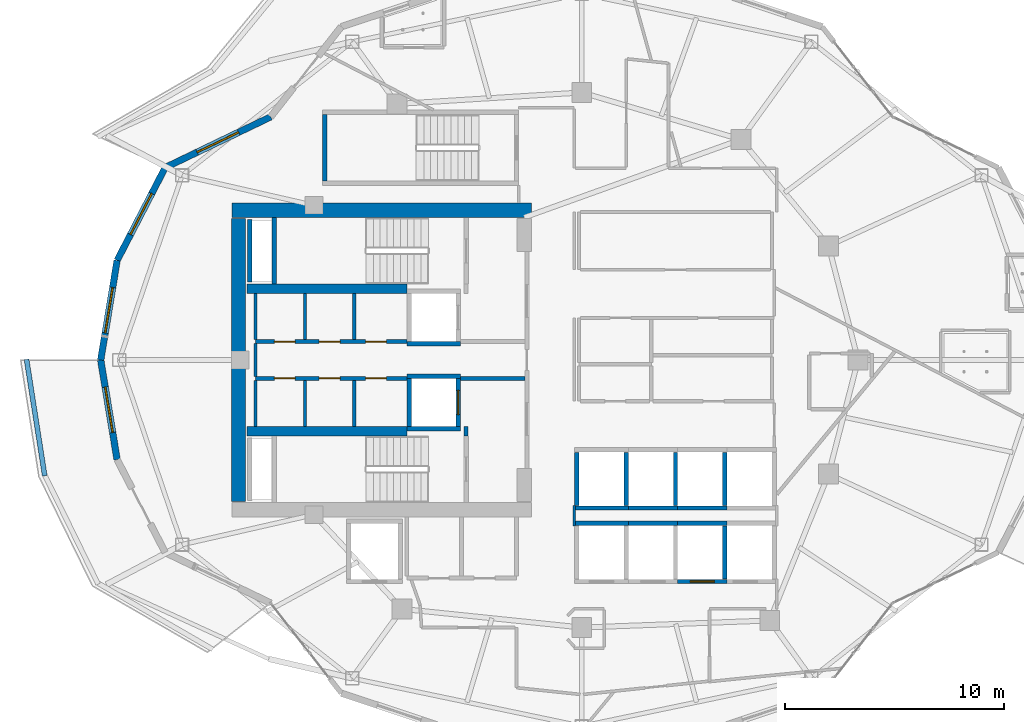
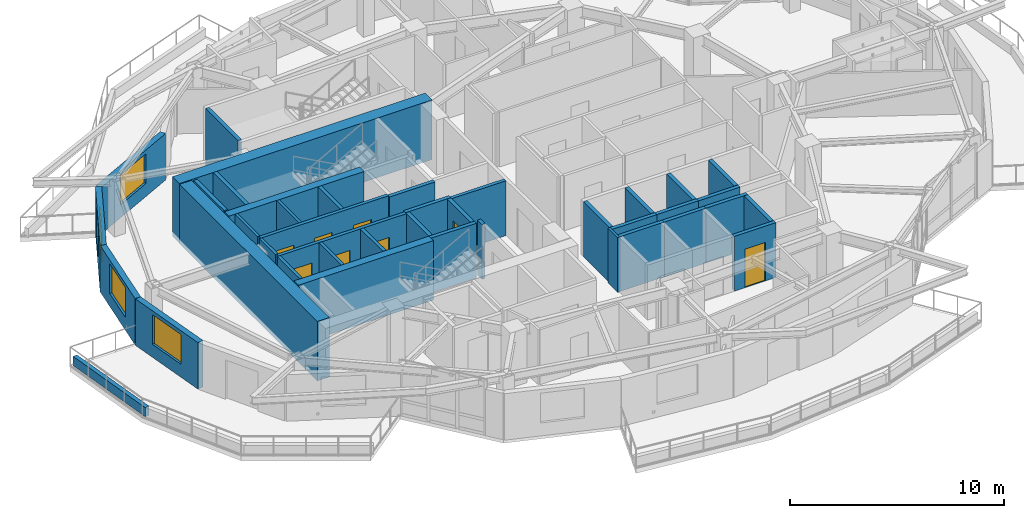
# One storey, part 9 of 18: 41 walls, 8 doors, 4 windows, 12 openings.
"""IFC4 building model written with IfcOpenShell, lengths in metres."""

import ifcopenshell
import ifcopenshell.guid

model = None  # the IFC model being written
_history = None  # IfcOwnerHistory: only IFC2X3 demands one
_inside = {}  # id of a spatial element -> (the spatial element, [elements in it])
_under = {}  # id of a project, library or spatial element -> (it, [spatial elements below it])
_declared = {}  # id of a project -> (the project, [libraries it declares])
_typed = {}  # id of a type object -> (the type object, [elements of that type])
_made_of = {}  # id of a material, layer set ... -> (it, [elements and type objects made of it])


def new_model(schema):
    """Start an empty IFC model of exactly this schema.

    Asked for "IFC4X3", IfcOpenShell would pick the latest addendum, in which some entities
    have other attributes; the version numbers below select the first issue.
    IFC2X3 requires an IfcOwnerHistory on every rooted entity: one is made here for all.
    """
    global model, _history
    if schema == "IFC4X3":
        model = ifcopenshell.file(schema_version=(4, 3, 0, 0))
    else:
        model = ifcopenshell.file(schema=schema)
    _inside.clear()
    _under.clear()
    _declared.clear()
    _typed.clear()
    _made_of.clear()
    _history = None
    if model.schema == "IFC2X3":
        org = make("IfcOrganization", Name="unknown")
        user = make(
            "IfcPersonAndOrganization",
            ThePerson=make("IfcPerson", FamilyName="unknown"),
            TheOrganization=org,
        )
        app = make(
            "IfcApplication",
            ApplicationDeveloper=org,
            Version="unknown",
            ApplicationFullName="unknown",
            ApplicationIdentifier="unknown",
        )
        _history = make(
            "IfcOwnerHistory",
            OwningUser=user,
            OwningApplication=app,
            ChangeAction="ADDED",
            CreationDate=0,
        )
    return model


def make(cls, **values):
    """One entity of the class cls with the attributes given. An attribute that is None is left unset."""
    return model.create_entity(
        cls, **{name: value for name, value in values.items() if value is not None}
    )


def rooted(cls, **values):
    """An entity with a GlobalId (a new one), such as an element, a storey or a relation."""
    return make(cls, GlobalId=ifcopenshell.guid.new(), OwnerHistory=_history, **values)


def si_unit(unit_type, name, prefix=None):
    """IfcSIUnit, for example si_unit("LENGTHUNIT", "METRE", prefix="MILLI")."""
    return make("IfcSIUnit", UnitType=unit_type, Prefix=prefix, Name=name)


def assignment(units):
    """IfcUnitAssignment: the units of a project."""
    return None if units is None else make("IfcUnitAssignment", Units=units)


def point(xyz):
    """IfcCartesianPoint."""
    return None if xyz is None else make("IfcCartesianPoint", Coordinates=xyz)


def direction(xyz):
    """IfcDirection."""
    return None if xyz is None else make("IfcDirection", DirectionRatios=xyz)


def frame(location, z_axis=None, x_axis=None):
    """IfcAxis2Placement3D, a coordinate frame: its origin and axes. An axis left out is left unset."""
    return make(
        "IfcAxis2Placement3D",
        Location=point(location),
        Axis=direction(z_axis),
        RefDirection=direction(x_axis),
    )


def frame_2d(location, x_axis=None):
    """IfcAxis2Placement2D, a coordinate frame in the plane: its origin and x axis."""
    return make(
        "IfcAxis2Placement2D", Location=point(location), RefDirection=direction(x_axis)
    )


def origin():
    """The frame at (0, 0, 0) with its axes left unset."""
    return frame((0.0, 0.0, 0.0))


def place(relative_to, where):
    """IfcLocalPlacement: puts the frame where relative to a parent placement (None: the world)."""
    return make(
        "IfcLocalPlacement", PlacementRelTo=relative_to, RelativePlacement=where
    )


def context(
    kind, dimensions, precision=None, world=None, true_north=None, identifier=None
):
    """IfcGeometricRepresentationContext, for example the 3D "Model" context."""
    return make(
        "IfcGeometricRepresentationContext",
        ContextIdentifier=identifier,
        ContextType=kind,
        CoordinateSpaceDimension=dimensions,
        Precision=precision,
        WorldCoordinateSystem=world,
        TrueNorth=true_north,
    )


def subcontext(parent, identifier, kind, view, scale=None):
    """IfcGeometricRepresentationSubContext, for example "Body" below "Model"."""
    return make(
        "IfcGeometricRepresentationSubContext",
        ContextIdentifier=identifier,
        ContextType=kind,
        ParentContext=parent,
        TargetScale=scale,
        TargetView=view,
    )


def project(units=None, contexts=None):
    """IfcProject with its units and contexts."""
    return rooted(
        "IfcProject",
        Name="project",
        RepresentationContexts=contexts,
        UnitsInContext=assignment(units),
    )


def spatial(cls, under=None, at=None, **own):
    """A site, building, storey or space (cls), placed at a placement, below another one or the project."""
    s = rooted(cls, ObjectPlacement=at, **own)
    if under is not None:
        _under.setdefault(under.id(), (under, []))[1].append(s)
    return s


def profile(cls, at=None, kind="AREA", **sizes):
    """A parametric profile (cls). Its sizes go by their IFC names, for example OverallWidth=200.0."""
    return make(cls, ProfileType=kind, Position=at, **sizes)


def rectangle(**sizes):
    """IfcRectangleProfileDef."""
    return profile("IfcRectangleProfileDef", **sizes)


def extrude(swept, where, along, depth):
    """IfcExtrudedAreaSolid: the profile swept, set in the frame where, extruded along a direction by depth."""
    return make(
        "IfcExtrudedAreaSolid",
        SweptArea=swept,
        Position=where,
        ExtrudedDirection=direction(along),
        Depth=depth,
    )


def shape(context_of_items, identifier, shape_type, items):
    """IfcShapeRepresentation: the items that make up one representation, for example the "Body"."""
    return make(
        "IfcShapeRepresentation",
        ContextOfItems=context_of_items,
        RepresentationIdentifier=identifier,
        RepresentationType=shape_type,
        Items=items,
    )


def material(Name=None, Category=None):
    """IfcMaterial."""
    return make("IfcMaterial", Name=Name, Category=Category)


def layer(
    of_material, thickness, ventilated=None, Name=None, Category=None, Priority=None
):
    """IfcMaterialLayer: one layer of a wall or slab, of a material (None: an air gap)."""
    return make(
        "IfcMaterialLayer",
        Material=of_material,
        LayerThickness=thickness,
        IsVentilated=ventilated,
        Name=Name,
        Category=Category,
        Priority=Priority,
    )


def layer_set(layers, Name=None):
    """IfcMaterialLayerSet."""
    return make("IfcMaterialLayerSet", MaterialLayers=layers, LayerSetName=Name)


def made_of(thing, what):
    """Note that an element or type object is made of a material, layer set ...; save() writes the relation."""
    if what is not None:
        _made_of.setdefault(what.id(), (what, []))[1].append(thing)
    return thing


def type_object(cls, material=None, **own):
    """A type object (cls), such as IfcWallType, which elements share."""
    return made_of(rooted(cls, **own), material)


def element(
    cls,
    number,
    at=None,
    inside=None,
    cuts=None,
    type_object=None,
    material=None,
    context=None,
    identifier="Body",
    shape_type=None,
    held_by="IfcProductDefinitionShape",
    body=None,
    shapes=None,
    **own,
):
    """One element of the class cls, such as IfcWall. Its Tag is "e" and its number.

    at: its placement. inside: the storey or other place that contains it. cuts: it is an
    opening in that element (IfcRelVoidsElement). A single representation is given by context,
    identifier, shape_type and body (its items); several are given by shapes. held_by: the class
    of the entity that holds the representations. save() writes the other relations.
    """
    e = rooted(cls, Tag="e%d" % number, ObjectPlacement=at, **own)
    if body is not None:
        shapes = [shape(context, identifier, shape_type, body)]
    if shapes is not None:
        e.Representation = make(held_by, Representations=shapes)
    if inside is not None:
        _inside.setdefault(inside.id(), (inside, []))[1].append(e)
    if cuts is not None:
        rooted(
            "IfcRelVoidsElement", RelatingBuildingElement=cuts, RelatedOpeningElement=e
        )
    if type_object is not None:
        _typed.setdefault(type_object.id(), (type_object, []))[1].append(e)
    return made_of(e, material)


def fill(opening, filler):
    """IfcRelFillsElement: the door or window that sits in an opening."""
    return rooted(
        "IfcRelFillsElement",
        RelatingOpeningElement=opening,
        RelatedBuildingElement=filler,
    )


def aggregate(whole, parts):
    """IfcRelAggregates: a whole, such as a stair, and the parts it consists of."""
    return rooted("IfcRelAggregates", RelatingObject=whole, RelatedObjects=parts)


def save(model, path):
    """Write the relations noted so far, then the file.

    IfcRelAggregates (storeys below a building ...), IfcRelContainedInSpatialStructure (elements
    in a storey), IfcRelDefinesByType, IfcRelAssociatesMaterial and IfcRelDeclares: one each for
    every whole, place, type object, material and project.
    """
    for whole, parts in _under.values():
        aggregate(whole, parts)
    for where, things in _inside.values():
        rooted(
            "IfcRelContainedInSpatialStructure",
            RelatedElements=things,
            RelatingStructure=where,
        )
    for kind, things in _typed.values():
        rooted("IfcRelDefinesByType", RelatedObjects=things, RelatingType=kind)
    for what, things in _made_of.values():
        rooted("IfcRelAssociatesMaterial", RelatedObjects=things, RelatingMaterial=what)
    for by, libraries in _declared.values():
        rooted("IfcRelDeclares", RelatingContext=by, RelatedDefinitions=libraries)
    model.write(path)


model = new_model("IFC4")

# Units and contexts
model_context = context("Model", 3, precision=1e-05, world=origin(), true_north=direction((0.0, 1.0)))
body_context = subcontext(model_context, "Body", "Model", "MODEL_VIEW")
ifc_project = project(units=[si_unit("LENGTHUNIT", "METRE"), si_unit("AREAUNIT", "SQUARE_METRE"), si_unit("VOLUMEUNIT", "CUBIC_METRE"), si_unit("PLANEANGLEUNIT", "RADIAN"), si_unit("MASSUNIT", "GRAM", prefix="KILO")], contexts=[model_context])

# Site, building, storey
site_placement = place(None, origin())
site = spatial("IfcSite", under=ifc_project, at=site_placement, CompositionType="ELEMENT")
building_placement = place(site_placement, origin())
building = spatial("IfcBuilding", under=site, at=building_placement, Name="Kolvaren Gate Tower and Convention Centre", CompositionType="ELEMENT")
storey_placement = place(building_placement, frame((0.0, 0.0, 176.699951171875)))
storey = spatial("IfcBuildingStorey", under=building, at=storey_placement, Name="L46", CompositionType="ELEMENT", Elevation=176.699951171875)

# Wall
ifc_material_1 = material(Name="Autoclaved Aerated Masonry Blockwork Class 4 (4.0 MPa)", Category="masonry")
ifc_layer_1 = layer(ifc_material_1, 0.179931640625)
ifc_layer_set_1 = layer_set([ifc_layer_1], Name="Autoclaved Aerated Masonry Blockwork Class 4 (4.0 MPa)")
wall_type_1 = type_object("IfcWallType", Name="ARCH-WL-COMP-180", PredefinedType="SOLIDWALL", material=ifc_layer_set_1)
wall_1_placement = place(storey_placement, frame((24.85009765625, 23.5400390625, 0.0), z_axis=(0.0, 0.0, 1.0), x_axis=(0.0, 1.0, 0.0)))
element("IfcWall", 1, at=wall_1_placement, inside=storey, type_object=wall_type_1, Name="Interior Partition WL-L46-INT-001", PredefinedType="SOLIDWALL", context=body_context, shape_type="SweptSolid", body=[
    extrude(rectangle(XDim=0.419921875, YDim=0.179931640625, at=frame_2d((0.2099609375, 0.0))), origin(), (0.0, 0.0, 1.0), 3.130126953125),
])

# Wall, openings, doors
wall_2_placement = place(storey_placement, frame((15.25, 27.840087890625, 0.0), z_axis=(0.0, 0.0, 1.0), x_axis=(1.0, 0.0, 0.0)))
wall_2 = element("IfcWall", 2, at=wall_2_placement, inside=storey, type_object=wall_type_1, Name="Interior Partition WL-L46-INT-004", PredefinedType="SOLIDWALL", context=body_context, shape_type="SweptSolid", body=[
    extrude(rectangle(XDim=6.89990234375, YDim=0.179931640625, at=frame_2d((3.449951171875, 0.0))), origin(), (0.0, 0.0, 1.0), 3.130126953125),
])
opening_1_placement = place(wall_2_placement, frame((5.02001953125, 0.0, 0.0)))
opening_1 = element("IfcOpeningElement", 3, at=opening_1_placement, cuts=wall_2, Name="Opening DR-01", PredefinedType="OPENING", context=body_context, shape_type="SweptSolid", body=[
    extrude(rectangle(XDim=0.949951171875, YDim=2.10009765625, at=frame_2d((0.47509765625, 1.050048828125))), frame((0.0, 0.099853515625, 0.0), z_axis=(0.0, -1.0, 0.0), x_axis=(1.0, 0.0, 0.0)), (0.0, 0.0, 1.0), 0.199951171875),
])
opening_2_placement = place(wall_2_placement, frame((0.85498046875, 0.0, 0.0)))
opening_2 = element("IfcOpeningElement", 4, at=opening_2_placement, cuts=wall_2, Name="Opening DR-01", PredefinedType="OPENING", context=body_context, shape_type="SweptSolid", body=[
    extrude(rectangle(XDim=0.949951171875, YDim=2.10009765625, at=frame_2d((0.47509765625, 1.050048828125))), frame((0.0, 0.099853515625, 0.0), z_axis=(0.0, -1.0, 0.0), x_axis=(1.0, 0.0, 0.0)), (0.0, 0.0, 1.0), 0.199951171875),
])
opening_3_placement = place(wall_2_placement, frame((2.89990234375, 0.0, 0.0)))
opening_3 = element("IfcOpeningElement", 5, at=opening_3_placement, cuts=wall_2, Name="Opening DR-01", PredefinedType="OPENING", context=body_context, shape_type="SweptSolid", body=[
    extrude(rectangle(XDim=0.949951171875, YDim=2.10009765625, at=frame_2d((0.47509765625, 1.050048828125))), frame((0.0, 0.099853515625, 0.0), z_axis=(0.0, -1.0, 0.0), x_axis=(1.0, 0.0, 0.0)), (0.0, 0.0, 1.0), 0.199951171875),
])
ifc_material_2 = material(Name="Painted Architectural Steelwork ASTM A500 Grade C 345 MPa", Category="steel")
door_type_1 = type_object("IfcDoorType", Name="ARCH-DR-RISER-950", OperationType="SINGLE_SWING_RIGHT", PredefinedType="DOOR", material=ifc_material_2)
door_1_placement = place(opening_1_placement, origin())
door_1 = element("IfcDoor", 6, at=door_1_placement, inside=storey, type_object=door_type_1, Name="Electrical Switchgear Closet Door", OperationType="SINGLE_SWING_RIGHT", OverallHeight=2.10009765625, OverallWidth=0.949951171875, PredefinedType="DOOR", context=body_context, shape_type="SweptSolid", body=[
    extrude(rectangle(XDim=0.949951171875, YDim=2.10009765625, at=frame_2d((0.47509765625, 1.050048828125))), frame((0.0, 0.02490234375, 0.0), z_axis=(0.0, -1.0, 0.0), x_axis=(1.0, 0.0, 0.0)), (0.0, 0.0, 1.0), 0.050048828125),
])
fill(opening_1, door_1)
door_2_placement = place(opening_2_placement, origin())
door_2 = element("IfcDoor", 7, at=door_2_placement, inside=storey, type_object=door_type_1, Name="Staff Accessible WC Door", OperationType="SINGLE_SWING_RIGHT", OverallHeight=2.10009765625, OverallWidth=0.949951171875, PredefinedType="DOOR", context=body_context, shape_type="SweptSolid", body=[
    extrude(rectangle(XDim=0.949951171875, YDim=2.10009765625, at=frame_2d((0.47509765625, 1.050048828125))), frame((0.0, 0.02490234375, 0.0), z_axis=(0.0, -1.0, 0.0), x_axis=(1.0, 0.0, 0.0)), (0.0, 0.0, 1.0), 0.050048828125),
])
fill(opening_2, door_2)
door_3_placement = place(opening_3_placement, origin())
door_3 = element("IfcDoor", 8, at=door_3_placement, inside=storey, type_object=door_type_1, Name="Housekeeping Sink Closet Door", OperationType="SINGLE_SWING_LEFT", OverallHeight=2.10009765625, OverallWidth=0.949951171875, PredefinedType="DOOR", context=body_context, shape_type="SweptSolid", body=[
    extrude(rectangle(XDim=0.949951171875, YDim=2.10009765625, at=frame_2d((0.47509765625, 1.050048828125))), frame((0.0, 0.02490234375, 0.0), z_axis=(0.0, -1.0, 0.0), x_axis=(1.0, 0.0, 0.0)), (0.0, 0.0, 1.0), 0.050048828125),
])
fill(opening_3, door_3)

wall_3_placement = place(storey_placement, frame((15.25, 26.159912109375, 0.0), z_axis=(0.0, 0.0, 1.0), x_axis=(1.0, 0.0, 0.0)))
wall_3 = element("IfcWall", 9, at=wall_3_placement, inside=storey, type_object=wall_type_1, Name="Interior Partition WL-L46-INT-005", PredefinedType="SOLIDWALL", context=body_context, shape_type="SweptSolid", body=[
    extrude(rectangle(XDim=6.89990234375, YDim=0.179931640625, at=frame_2d((3.449951171875, 0.0))), origin(), (0.0, 0.0, 1.0), 3.130126953125),
])
opening_4_placement = place(wall_3_placement, frame((5.02001953125, 0.0, 0.0)))
opening_4 = element("IfcOpeningElement", 10, at=opening_4_placement, cuts=wall_3, Name="Opening DR-01", PredefinedType="OPENING", context=body_context, shape_type="SweptSolid", body=[
    extrude(rectangle(XDim=0.949951171875, YDim=2.10009765625, at=frame_2d((0.47509765625, 1.050048828125))), frame((0.0, 0.099853515625, 0.0), z_axis=(0.0, -1.0, 0.0), x_axis=(1.0, 0.0, 0.0)), (0.0, 0.0, 1.0), 0.199951171875),
])
opening_5_placement = place(wall_3_placement, frame((0.85498046875, 0.0, 0.0)))
opening_5 = element("IfcOpeningElement", 11, at=opening_5_placement, cuts=wall_3, Name="Opening DR-01", PredefinedType="OPENING", context=body_context, shape_type="SweptSolid", body=[
    extrude(rectangle(XDim=0.949951171875, YDim=2.10009765625, at=frame_2d((0.47509765625, 1.050048828125))), frame((0.0, 0.099853515625, 0.0), z_axis=(0.0, -1.0, 0.0), x_axis=(1.0, 0.0, 0.0)), (0.0, 0.0, 1.0), 0.199951171875),
])
opening_6_placement = place(wall_3_placement, frame((2.89990234375, 0.0, 0.0)))
opening_6 = element("IfcOpeningElement", 12, at=opening_6_placement, cuts=wall_3, Name="Opening DR-01", PredefinedType="OPENING", context=body_context, shape_type="SweptSolid", body=[
    extrude(rectangle(XDim=0.949951171875, YDim=2.10009765625, at=frame_2d((0.47509765625, 1.050048828125))), frame((0.0, 0.099853515625, 0.0), z_axis=(0.0, -1.0, 0.0), x_axis=(1.0, 0.0, 0.0)), (0.0, 0.0, 1.0), 0.199951171875),
])
door_4_placement = place(opening_4_placement, origin())
door_4 = element("IfcDoor", 13, at=door_4_placement, inside=storey, type_object=door_type_1, Name="Domestic Water Meter Closet Door", OperationType="SINGLE_SWING_LEFT", OverallHeight=2.10009765625, OverallWidth=0.949951171875, PredefinedType="DOOR", context=body_context, shape_type="SweptSolid", body=[
    extrude(rectangle(XDim=0.949951171875, YDim=2.10009765625, at=frame_2d((0.47509765625, 1.050048828125))), frame((0.0, 0.02490234375, 0.0), z_axis=(0.0, -1.0, 0.0), x_axis=(1.0, 0.0, 0.0)), (0.0, 0.0, 1.0), 0.050048828125),
])
fill(opening_4, door_4)
door_5_placement = place(opening_5_placement, origin())
door_5 = element("IfcDoor", 14, at=door_5_placement, inside=storey, type_object=door_type_1, Name="Beverage Service Pantry Door", OperationType="SINGLE_SWING_RIGHT", OverallHeight=2.10009765625, OverallWidth=0.949951171875, PredefinedType="DOOR", context=body_context, shape_type="SweptSolid", body=[
    extrude(rectangle(XDim=0.949951171875, YDim=2.10009765625, at=frame_2d((0.47509765625, 1.050048828125))), frame((0.0, 0.02490234375, 0.0), z_axis=(0.0, -1.0, 0.0), x_axis=(1.0, 0.0, 0.0)), (0.0, 0.0, 1.0), 0.050048828125),
])
fill(opening_5, door_5)
door_6_placement = place(opening_6_placement, origin())
door_6 = element("IfcDoor", 15, at=door_6_placement, inside=storey, type_object=door_type_1, Name="Archive Supply Closet Door", OperationType="SINGLE_SWING_LEFT", OverallHeight=2.10009765625, OverallWidth=0.949951171875, PredefinedType="DOOR", context=body_context, shape_type="SweptSolid", body=[
    extrude(rectangle(XDim=0.949951171875, YDim=2.10009765625, at=frame_2d((0.47509765625, 1.050048828125))), frame((0.0, 0.02490234375, 0.0), z_axis=(0.0, -1.0, 0.0), x_axis=(1.0, 0.0, 0.0)), (0.0, 0.0, 1.0), 0.050048828125),
])
fill(opening_6, door_6)

# Walls
wall_4_placement = place(storey_placement, frame((24.60009765625, 26.159912109375, 0.0), z_axis=(0.0, 0.0, 1.0), x_axis=(1.0, 0.0, 0.0)))
element("IfcWall", 16, at=wall_4_placement, inside=storey, type_object=wall_type_1, Name="Interior Partition WL-L46-INT-005 (2)", PredefinedType="SOLIDWALL", context=body_context, shape_type="SweptSolid", body=[
    extrude(rectangle(XDim=2.927978515625, YDim=0.179931640625, at=frame_2d((1.4638671875, 0.0))), origin(), (0.0, 0.0, 1.0), 3.130126953125),
])
for number, where, z_axis, x_axis, name in (
    (17, (19.75, 23.9619140625, 0.0), (0.0, 0.0, 1.0), (0.0, 1.0, 0.0), "Interior Partition WL-L46-INT-007"),
    (18, (19.75, 27.931884765625, 0.0), (0.0, 0.0, 1.0), (0.0, 1.0, 0.0), "Interior Partition WL-L46-INT-008"),
):
    element("IfcWall", number, at=place(storey_placement, frame(where, z_axis=z_axis, x_axis=x_axis)), inside=storey, type_object=wall_type_1, Name=name, PredefinedType="SOLIDWALL", context=body_context, shape_type="SweptSolid", body=[
        extrude(rectangle(XDim=2.106201171875, YDim=0.179931640625, at=frame_2d((1.05322265625, 0.0))), origin(), (0.0, 0.0, 1.0), 3.130126953125),
    ])
ifc_material_3 = material(Name="Fire-Rated Acoustic Gypsum Stud Partition", Category="gypsum")
ifc_layer_2 = layer(ifc_material_3, 0.1201171875)
ifc_layer_set_2 = layer_set([ifc_layer_2], Name="Fire-Rated Acoustic Gypsum Stud Partition")
wall_type_2 = type_object("IfcWallType", Name="ARCH-WL-PART-120", PredefinedType="PARTITIONING", material=ifc_layer_set_2)
wall_5_placement = place(storey_placement, frame((29.780029296875, 19.43994140625, 0.0), z_axis=(0.0, 0.0, 1.0), x_axis=(0.0, 1.0, 0.0)))
element("IfcWall", 19, at=wall_5_placement, inside=storey, type_object=wall_type_2, Name="Interior Partition WL-L46-INT-039", PredefinedType="PARTITIONING", context=body_context, shape_type="SweptSolid", body=[
    extrude(rectangle(XDim=0.920166015625, YDim=0.1201171875, at=frame_2d((0.4599609375, 0.0))), origin(), (0.0, 0.0, 1.0), 3.130126953125),
])
ifc_material_4 = material(Name="Piedmont Cream Honed Limestone Cladding", Category="masonry")
ifc_layer_3 = layer(ifc_material_4, 0.219970703125)
ifc_layer_set_3 = layer_set([ifc_layer_3], Name="Piedmont Cream Honed Limestone Cladding")
wall_type_3 = type_object("IfcWallType", Name="ARCH-WL-PLANTER-220", PredefinedType="PARAPET", material=ifc_layer_set_3)
wall_6_placement = place(storey_placement, frame((4.805908203125, 27.029296875, 0.0), z_axis=(0.0, 0.0, 1.0), x_axis=(0.154245214003, -0.988032597619, 0.0)))
element("IfcWall", 20, at=wall_6_placement, inside=storey, type_object=wall_type_3, Name="Vertical-Forest Balcony Stone Planter Kerb PK-L46-2.1", PredefinedType="PARAPET", context=body_context, shape_type="SweptSolid", body=[
    extrude(rectangle(XDim=5.37353515625, YDim=0.219970703125, at=frame_2d((2.686767578125, 0.0))), origin(), (0.0, 0.0, 1.0), 0.52001953125),
])
ifc_layer_4 = layer(ifc_material_1, 0.199951171875)
ifc_layer_set_4 = layer_set([ifc_layer_4], Name="Autoclaved Aerated Masonry Blockwork Class 4 (4.0 MPa)")
wall_type_4 = type_object("IfcWallType", Name="ARCH-WL-SHAFT-200", PredefinedType="SOLIDWALL", material=ifc_layer_set_4)
for number, where, z_axis, x_axis, name in (
    (21, (22.14990234375, 27.739990234375, 0.0), (0.0, 0.0, 1.0), (1.0, 0.0, 0.0), "Elevator FF-01 L46 Fire Shaft Wall S"),
    (22, (22.14990234375, 26.260009765625, 0.0), (0.0, 0.0, 1.0), (1.0, 0.0, 0.0), "Elevator FF-02 L46 Fire Shaft Wall N"),
    (23, (22.14990234375, 23.860107421875, 0.0), (0.0, 0.0, 1.0), (1.0, 0.0, 0.0), "Elevator FF-02 L46 Fire Shaft Wall S"),
):
    element("IfcWall", number, at=place(storey_placement, frame(where, z_axis=z_axis, x_axis=x_axis)), inside=storey, type_object=wall_type_4, Name=name, PredefinedType="SOLIDWALL", context=body_context, shape_type="SweptSolid", body=[
        extrude(rectangle(XDim=2.4501953125, YDim=0.199951171875, at=frame_2d((1.22509765625, 0.0))), origin(), (0.0, 0.0, 1.0), 3.130126953125),
    ])
wall_7_placement = place(storey_placement, frame((22.25, 23.969970703125, 0.0), z_axis=(0.0, 0.0, 1.0), x_axis=(0.0, 1.0, 0.0)))
element("IfcWall", 24, at=wall_7_placement, inside=storey, type_object=wall_type_4, Name="Elevator FF-02 L46 Fire Shaft Wall W", PredefinedType="SOLIDWALL", context=body_context, shape_type="SweptSolid", body=[
    extrude(rectangle(XDim=2.179931640625, YDim=0.199951171875, at=frame_2d((1.08984375, 0.0))), origin(), (0.0, 0.0, 1.0), 3.130126953125),
])

# Wall, opening, door
wall_8_placement = place(storey_placement, frame((24.5, 23.969970703125, 0.0), z_axis=(0.0, 0.0, 1.0), x_axis=(0.0, 1.0, 0.0)))
wall_8 = element("IfcWall", 25, at=wall_8_placement, inside=storey, type_object=wall_type_4, Name="Elevator FF-02 L46 Fire Shaft Wall E", PredefinedType="SOLIDWALL", context=body_context, shape_type="SweptSolid", body=[
    extrude(rectangle(XDim=2.179931640625, YDim=0.199951171875, at=frame_2d((1.08984375, 0.0))), origin(), (0.0, 0.0, 1.0), 3.130126953125),
])
opening_7_placement = place(wall_8_placement, frame((0.5400390625, 0.0, 0.0)))
opening_7 = element("IfcOpeningElement", 26, at=opening_7_placement, cuts=wall_8, Name="Opening LD", PredefinedType="OPENING", context=body_context, shape_type="SweptSolid", body=[
    extrude(rectangle(XDim=1.10009765625, YDim=2.199951171875, at=frame_2d((0.550048828125, 1.10009765625))), frame((0.0, 0.10986328125, 0.0), z_axis=(0.0, -1.0, 0.0), x_axis=(1.0, 0.0, 0.0)), (0.0, 0.0, 1.0), 0.219970703125),
])
ifc_material_5 = material(Name="Brushed Stainless Steel Grade 316L", Category="steel")
door_type_2 = type_object("IfcDoorType", Name="ARCH-DR-LIFT-1100", OperationType="SLIDING_TO_LEFT", PredefinedType="DOOR", material=ifc_material_5)
door_7_placement = place(opening_7_placement, origin())
door_7 = element("IfcDoor", 27, at=door_7_placement, inside=storey, type_object=door_type_2, Name="Elevator FF-02 L46 Sliding Landing Door", OperationType="SLIDING_TO_LEFT", OverallHeight=2.199951171875, OverallWidth=1.10009765625, PredefinedType="DOOR", context=body_context, shape_type="SweptSolid", body=[
    extrude(rectangle(XDim=1.10009765625, YDim=2.199951171875, at=frame_2d((0.550048828125, 1.10009765625))), frame((0.0, 0.02490234375, 0.0), z_axis=(0.0, -1.0, 0.0), x_axis=(1.0, 0.0, 0.0)), (0.0, 0.0, 1.0), 0.050048828125),
])
fill(opening_7, door_7)

# Walls
wall_9_placement = place(storey_placement, frame((29.800048828125, 19.550048828125, 0.0), z_axis=(0.0, 0.0, 1.0), x_axis=(1.0, 0.0, 0.0)))
element("IfcWall", 28, at=wall_9_placement, inside=storey, type_object=wall_type_4, Name="Elevator PL-05 L46 Fire Shaft Wall N", PredefinedType="SOLIDWALL", context=body_context, shape_type="SweptSolid", body=[
    extrude(rectangle(XDim=2.449951171875, YDim=0.199951171875, at=frame_2d((1.22509765625, 0.0))), origin(), (0.0, 0.0, 1.0), 3.130126953125),
])
for number, where, z_axis, x_axis, name in (
    (29, (32.25, 19.550048828125, 0.0), (0.0, 0.0, 1.0), (1.0, 0.0, 0.0), "Elevator PL-06 L46 Fire Shaft Wall N"),
    (30, (34.5, 19.550048828125, 0.0), (0.0, 0.0, 1.0), (1.0, 0.0, 0.0), "Elevator PL-07 L46 Fire Shaft Wall N"),
):
    element("IfcWall", number, at=place(storey_placement, frame(where, z_axis=z_axis, x_axis=x_axis)), inside=storey, type_object=wall_type_4, Name=name, PredefinedType="SOLIDWALL", context=body_context, shape_type="SweptSolid", body=[
        extrude(rectangle(XDim=2.25, YDim=0.199951171875, at=frame_2d((1.125, 0.0))), origin(), (0.0, 0.0, 1.0), 3.130126953125),
    ])

# Wall, opening, door
wall_10_placement = place(storey_placement, frame((34.5, 16.89990234375, 0.0), z_axis=(0.0, 0.0, 1.0), x_axis=(1.0, 0.0, 0.0)))
wall_10 = element("IfcWall", 31, at=wall_10_placement, inside=storey, type_object=wall_type_4, Name="Elevator PL-07 L46 Fire Shaft Wall S", PredefinedType="SOLIDWALL", context=body_context, shape_type="SweptSolid", body=[
    extrude(rectangle(XDim=2.25, YDim=0.199951171875, at=frame_2d((1.125, 0.0))), origin(), (0.0, 0.0, 1.0), 3.130126953125),
])
opening_8_placement = place(wall_10_placement, frame((0.574951171875, 0.0, 0.0)))
opening_8 = element("IfcOpeningElement", 32, at=opening_8_placement, cuts=wall_10, Name="Opening LD", PredefinedType="OPENING", context=body_context, shape_type="SweptSolid", body=[
    extrude(rectangle(XDim=1.10009765625, YDim=2.199951171875, at=frame_2d((0.550048828125, 1.10009765625))), frame((0.0, 0.10986328125, 0.0), z_axis=(0.0, -1.0, 0.0), x_axis=(1.0, 0.0, 0.0)), (0.0, 0.0, 1.0), 0.219970703125),
])
door_8_placement = place(opening_8_placement, origin())
door_8 = element("IfcDoor", 33, at=door_8_placement, inside=storey, type_object=door_type_2, Name="Elevator PL-07 L46 Sliding Landing Door", OperationType="SLIDING_TO_LEFT", OverallHeight=2.199951171875, OverallWidth=1.10009765625, PredefinedType="DOOR", context=body_context, shape_type="SweptSolid", body=[
    extrude(rectangle(XDim=1.10009765625, YDim=2.199951171875, at=frame_2d((0.550048828125, 1.10009765625))), frame((0.0, 0.02490234375, 0.0), z_axis=(0.0, -1.0, 0.0), x_axis=(1.0, 0.0, 0.0)), (0.0, 0.0, 1.0), 0.050048828125),
])
fill(opening_8, door_8)

# Walls
wall_11_placement = place(storey_placement, frame((36.64990234375, 17.010009765625, 0.0), z_axis=(0.0, 0.0, 1.0), x_axis=(0.0, 1.0, 0.0)))
element("IfcWall", 34, at=wall_11_placement, inside=storey, type_object=wall_type_4, Name="Elevator PL-07 L46 Fire Shaft Wall E", PredefinedType="SOLIDWALL", context=body_context, shape_type="SweptSolid", body=[
    extrude(rectangle(XDim=2.429931640625, YDim=0.199951171875, at=frame_2d((1.21484375, 0.0))), origin(), (0.0, 0.0, 1.0), 3.130126953125),
])
wall_12_placement = place(storey_placement, frame((29.800048828125, 20.25, 0.0), z_axis=(0.0, 0.0, 1.0), x_axis=(1.0, 0.0, 0.0)))
element("IfcWall", 35, at=wall_12_placement, inside=storey, type_object=wall_type_4, Name="Elevator PL-09 L46 Fire Shaft Wall S", PredefinedType="SOLIDWALL", context=body_context, shape_type="SweptSolid", body=[
    extrude(rectangle(XDim=2.449951171875, YDim=0.199951171875, at=frame_2d((1.22509765625, 0.0))), origin(), (0.0, 0.0, 1.0), 3.130126953125),
])
for number, where, z_axis, x_axis, name in (
    (36, (29.89990234375, 20.360107421875, 0.0), (0.0, 0.0, 1.0), (0.0, 1.0, 0.0), "Elevator PL-09 L46 Fire Shaft Wall W"),
    (37, (32.14990234375, 20.360107421875, 0.0), (0.0, 0.0, 1.0), (0.0, 1.0, 0.0), "Elevator PL-09 L46 Fire Shaft Wall E"),
):
    element("IfcWall", number, at=place(storey_placement, frame(where, z_axis=z_axis, x_axis=x_axis)), inside=storey, type_object=wall_type_4, Name=name, PredefinedType="SOLIDWALL", context=body_context, shape_type="SweptSolid", body=[
        extrude(rectangle(XDim=2.429931640625, YDim=0.199951171875, at=frame_2d((1.21484375, 0.0))), origin(), (0.0, 0.0, 1.0), 3.130126953125),
    ])
wall_13_placement = place(storey_placement, frame((32.25, 20.25, 0.0), z_axis=(0.0, 0.0, 1.0), x_axis=(1.0, 0.0, 0.0)))
element("IfcWall", 38, at=wall_13_placement, inside=storey, type_object=wall_type_4, Name="Elevator PL-10 L46 Fire Shaft Wall S", PredefinedType="SOLIDWALL", context=body_context, shape_type="SweptSolid", body=[
    extrude(rectangle(XDim=2.25, YDim=0.199951171875, at=frame_2d((1.125, 0.0))), origin(), (0.0, 0.0, 1.0), 3.130126953125),
])
wall_14_placement = place(storey_placement, frame((34.39990234375, 20.360107421875, 0.0), z_axis=(0.0, 0.0, 1.0), x_axis=(0.0, 1.0, 0.0)))
element("IfcWall", 39, at=wall_14_placement, inside=storey, type_object=wall_type_4, Name="Elevator PL-10 L46 Fire Shaft Wall E", PredefinedType="SOLIDWALL", context=body_context, shape_type="SweptSolid", body=[
    extrude(rectangle(XDim=2.429931640625, YDim=0.199951171875, at=frame_2d((1.21484375, 0.0))), origin(), (0.0, 0.0, 1.0), 3.130126953125),
])
wall_15_placement = place(storey_placement, frame((34.5, 20.25, 0.0), z_axis=(0.0, 0.0, 1.0), x_axis=(1.0, 0.0, 0.0)))
element("IfcWall", 40, at=wall_15_placement, inside=storey, type_object=wall_type_4, Name="Elevator PL-11 L46 Fire Shaft Wall S", PredefinedType="SOLIDWALL", context=body_context, shape_type="SweptSolid", body=[
    extrude(rectangle(XDim=2.25, YDim=0.199951171875, at=frame_2d((1.125, 0.0))), origin(), (0.0, 0.0, 1.0), 3.130126953125),
])
wall_16_placement = place(storey_placement, frame((36.64990234375, 20.360107421875, 0.0), z_axis=(0.0, 0.0, 1.0), x_axis=(0.0, 1.0, 0.0)))
element("IfcWall", 41, at=wall_16_placement, inside=storey, type_object=wall_type_4, Name="Elevator PL-11 L46 Fire Shaft Wall E", PredefinedType="SOLIDWALL", context=body_context, shape_type="SweptSolid", body=[
    extrude(rectangle(XDim=2.429931640625, YDim=0.199951171875, at=frame_2d((1.21484375, 0.0))), origin(), (0.0, 0.0, 1.0), 3.130126953125),
])
wall_17_placement = place(storey_placement, frame((14.989990234375, 30.550048828125, 0.0), z_axis=(0.0, 0.0, 1.0), x_axis=(0.0, 1.0, 0.0)))
element("IfcWall", 42, at=wall_17_placement, inside=storey, type_object=wall_type_4, Name="Vertical Shaft HVR L46 EI-120 Enclosure Wall W", PredefinedType="SOLIDWALL", context=body_context, shape_type="SweptSolid", body=[
    extrude(rectangle(XDim=2.849853515625, YDim=0.199951171875, at=frame_2d((1.4248046875, 0.0))), origin(), (0.0, 0.0, 1.0), 3.130126953125),
])

# Wall, opening, window
ifc_layer_5 = layer(ifc_material_4, 0.300048828125)
ifc_layer_set_5 = layer_set([ifc_layer_5], Name="Piedmont Cream Honed Limestone Cladding")
wall_type_5 = type_object("IfcWallType", Name="ARCH-WL-STONE-300", PredefinedType="SOLIDWALL", material=ifc_layer_set_5)
wall_18_placement = place(storey_placement, frame((11.126708984375, 35.77490234375, 0.0), z_axis=(0.0, 0.0, 1.0), x_axis=(0.901353070301, 0.433085029363, 0.0)))
wall_18 = element("IfcWall", 43, at=wall_18_placement, inside=storey, type_object=wall_type_5, Name="Tower L46 Honed Stone Spandrel Wall EW-09", PredefinedType="SOLIDWALL", context=body_context, shape_type="SweptSolid", body=[
    extrude(rectangle(XDim=5.336181640625, YDim=0.300048828125, at=frame_2d((2.66796875, 0.0))), origin(), (0.0, 0.0, 1.0), 2.653076171875),
])
opening_9_placement = place(wall_18_placement, frame((1.617919921875, 0.0, 0.739990234375)))
opening_9 = element("IfcOpeningElement", 44, at=opening_9_placement, cuts=wall_18, Name="Opening W-02", PredefinedType="OPENING", context=body_context, shape_type="SweptSolid", body=[
    extrude(rectangle(XDim=2.10009765625, YDim=1.699951171875, at=frame_2d((1.050048828125, 0.85009765625))), frame((0.0, 0.159912109375, 0.0), z_axis=(0.0, -1.0, 0.0), x_axis=(1.0, 0.0, 0.0)), (0.0, 0.0, 1.0), 0.320068359375),
])
ifc_material_6 = material(Name="Low-E Triple Insulated Glazing Unit 44 mm", Category="glass")
window_type = type_object("IfcWindowType", Name="ARCH-WN-HTL-2100", PartitioningType="SINGLE_PANEL", PredefinedType="WINDOW", material=ifc_material_6)
window_1_placement = place(opening_9_placement, origin())
window_1 = element("IfcWindow", 45, at=window_1_placement, inside=storey, type_object=window_type, Name="Tower L46 Punched Stone Facade Window W-09", OverallHeight=1.699951171875, OverallWidth=2.10009765625, PartitioningType="SINGLE_PANEL", PredefinedType="WINDOW", context=body_context, shape_type="SweptSolid", body=[
    extrude(rectangle(XDim=2.10009765625, YDim=1.699951171875, at=frame_2d((1.050048828125, 0.85009765625))), frame((0.0, 0.030029296875, 0.0), z_axis=(0.0, -1.0, 0.0), x_axis=(1.0, 0.0, 0.0)), (0.0, 0.0, 1.0), 0.06005859375),
])
fill(opening_9, window_1)

wall_19_placement = place(storey_placement, frame((8.93505859375, 31.542236328125, 0.0), z_axis=(0.0, 0.0, 1.0), x_axis=(0.459810251451, 0.888017191647, 0.0)))
wall_19 = element("IfcWall", 46, at=wall_19_placement, inside=storey, type_object=wall_type_5, Name="Tower L46 Honed Stone Spandrel Wall EW-10", PredefinedType="SOLIDWALL", context=body_context, shape_type="SweptSolid", body=[
    extrude(rectangle(XDim=4.766357421875, YDim=0.300048828125, at=frame_2d((2.38330078125, 0.0))), origin(), (0.0, 0.0, 1.0), 2.653076171875),
])
opening_10_placement = place(wall_19_placement, frame((1.3330078125, 0.0, 0.739990234375)))
opening_10 = element("IfcOpeningElement", 47, at=opening_10_placement, cuts=wall_19, Name="Opening W-02", PredefinedType="OPENING", context=body_context, shape_type="SweptSolid", body=[
    extrude(rectangle(XDim=2.10009765625, YDim=1.699951171875, at=frame_2d((1.050048828125, 0.85009765625))), frame((0.0, 0.159912109375, 0.0), z_axis=(0.0, -1.0, 0.0), x_axis=(1.0, 0.0, 0.0)), (0.0, 0.0, 1.0), 0.320068359375),
])
window_2_placement = place(opening_10_placement, origin())
window_2 = element("IfcWindow", 48, at=window_2_placement, inside=storey, type_object=window_type, Name="Tower L46 Punched Stone Facade Window W-10", OverallHeight=1.699951171875, OverallWidth=2.10009765625, PartitioningType="SINGLE_PANEL", PredefinedType="WINDOW", context=body_context, shape_type="SweptSolid", body=[
    extrude(rectangle(XDim=2.10009765625, YDim=1.699951171875, at=frame_2d((1.050048828125, 0.85009765625))), frame((0.0, 0.030029296875, 0.0), z_axis=(0.0, -1.0, 0.0), x_axis=(1.0, 0.0, 0.0)), (0.0, 0.0, 1.0), 0.06005859375),
])
fill(opening_10, window_2)

wall_20_placement = place(storey_placement, frame((8.1875, 27.0, 0.0), z_axis=(0.0, 0.0, 1.0), x_axis=(0.162394765401, 0.986725868806, 0.0)))
wall_20 = element("IfcWall", 49, at=wall_20_placement, inside=storey, type_object=wall_type_5, Name="Tower L46 Honed Stone Spandrel Wall EW-11", PredefinedType="SOLIDWALL", context=body_context, shape_type="SweptSolid", body=[
    extrude(rectangle(XDim=4.603271484375, YDim=0.300048828125, at=frame_2d((2.3017578125, 0.0))), origin(), (0.0, 0.0, 1.0), 2.653076171875),
])
opening_11_placement = place(wall_20_placement, frame((1.251953125, 0.0, 0.739990234375)))
opening_11 = element("IfcOpeningElement", 50, at=opening_11_placement, cuts=wall_20, Name="Opening W-02", PredefinedType="OPENING", context=body_context, shape_type="SweptSolid", body=[
    extrude(rectangle(XDim=2.10009765625, YDim=1.699951171875, at=frame_2d((1.050048828125, 0.85009765625))), frame((0.0, 0.159912109375, 0.0), z_axis=(0.0, -1.0, 0.0), x_axis=(1.0, 0.0, 0.0)), (0.0, 0.0, 1.0), 0.320068359375),
])
window_3_placement = place(opening_11_placement, origin())
window_3 = element("IfcWindow", 51, at=window_3_placement, inside=storey, type_object=window_type, Name="Tower L46 Punched Stone Facade Window W-11", OverallHeight=1.699951171875, OverallWidth=2.10009765625, PartitioningType="SINGLE_PANEL", PredefinedType="WINDOW", context=body_context, shape_type="SweptSolid", body=[
    extrude(rectangle(XDim=2.10009765625, YDim=1.699951171875, at=frame_2d((1.050048828125, 0.85009765625))), frame((0.0, 0.030029296875, 0.0), z_axis=(0.0, -1.0, 0.0), x_axis=(1.0, 0.0, 0.0)), (0.0, 0.0, 1.0), 0.06005859375),
])
fill(opening_11, window_3)

wall_21_placement = place(storey_placement, frame((8.1875, 27.0, 0.0), z_axis=(0.0, 0.0, 1.0), x_axis=(0.162394765401, -0.986725868806, 0.0)))
wall_21 = element("IfcWall", 52, at=wall_21_placement, inside=storey, type_object=wall_type_5, Name="Tower L46 Honed Stone Spandrel Wall EW-12", PredefinedType="SOLIDWALL", context=body_context, shape_type="SweptSolid", body=[
    extrude(rectangle(XDim=4.603271484375, YDim=0.300048828125, at=frame_2d((2.3017578125, 0.0))), origin(), (0.0, 0.0, 1.0), 2.653076171875),
])
opening_12_placement = place(wall_21_placement, frame((1.251953125, 0.0, 0.739990234375)))
opening_12 = element("IfcOpeningElement", 53, at=opening_12_placement, cuts=wall_21, Name="Opening W-02", PredefinedType="OPENING", context=body_context, shape_type="SweptSolid", body=[
    extrude(rectangle(XDim=2.10009765625, YDim=1.699951171875, at=frame_2d((1.050048828125, 0.85009765625))), frame((0.0, 0.159912109375, 0.0), z_axis=(0.0, -1.0, 0.0), x_axis=(1.0, 0.0, 0.0)), (0.0, 0.0, 1.0), 0.320068359375),
])
window_4_placement = place(opening_12_placement, origin())
window_4 = element("IfcWindow", 54, at=window_4_placement, inside=storey, type_object=window_type, Name="Tower L46 Punched Stone Facade Window W-12", OverallHeight=1.699951171875, OverallWidth=2.10009765625, PartitioningType="SINGLE_PANEL", PredefinedType="WINDOW", context=body_context, shape_type="SweptSolid", body=[
    extrude(rectangle(XDim=2.10009765625, YDim=1.699951171875, at=frame_2d((1.050048828125, 0.85009765625))), frame((0.0, 0.030029296875, 0.0), z_axis=(0.0, -1.0, 0.0), x_axis=(1.0, 0.0, 0.0)), (0.0, 0.0, 1.0), 0.06005859375),
])
fill(opening_12, window_4)

# Walls
ifc_material_7 = material(Name="Moisture-Resistant Cement-Board Acoustic Partition", Category="gypsum")
ifc_layer_6 = layer(ifc_material_7, 0.14990234375)
ifc_layer_set_6 = layer_set([ifc_layer_6], Name="Moisture-Resistant Cement-Board Acoustic Partition")
wall_type_6 = type_object("IfcWallType", Name="ARCH-WL-WET-150", PredefinedType="PARTITIONING", material=ifc_layer_set_6)
wall_22_placement = place(storey_placement, frame((15.25, 23.9619140625, 0.0), z_axis=(0.0, 0.0, 1.0), x_axis=(0.0, 1.0, 0.0)))
element("IfcWall", 55, at=wall_22_placement, inside=storey, type_object=wall_type_6, Name="Interior Partition WL-L46-INT-006", PredefinedType="PARTITIONING", context=body_context, shape_type="SweptSolid", body=[
    extrude(rectangle(XDim=2.106201171875, YDim=0.14990234375, at=frame_2d((1.05322265625, 0.0))), origin(), (0.0, 0.0, 1.0), 3.130126953125),
])
wall_23_placement = place(storey_placement, frame((15.25, 26.251953125, 0.0), z_axis=(0.0, 0.0, 1.0), x_axis=(0.0, 1.0, 0.0)))
element("IfcWall", 56, at=wall_23_placement, inside=storey, type_object=wall_type_6, Name="Interior Partition WL-L46-INT-006 (2)", PredefinedType="PARTITIONING", context=body_context, shape_type="SweptSolid", body=[
    extrude(rectangle(XDim=1.49609375, YDim=0.14990234375, at=frame_2d((0.748046875, 0.0))), origin(), (0.0, 0.0, 1.0), 3.130126953125),
])
for number, where, z_axis, x_axis, name in (
    (57, (15.25, 27.931884765625, 0.0), (0.0, 0.0, 1.0), (0.0, 1.0, 0.0), "Interior Partition WL-L46-INT-006 (3)"),
    (58, (17.5, 23.9619140625, 0.0), (0.0, 0.0, 1.0), (0.0, 1.0, 0.0), "Interior Partition WL-L46-INT-009"),
    (59, (17.5, 27.931884765625, 0.0), (0.0, 0.0, 1.0), (0.0, 1.0, 0.0), "Interior Partition WL-L46-INT-010"),
):
    element("IfcWall", number, at=place(storey_placement, frame(where, z_axis=z_axis, x_axis=x_axis)), inside=storey, type_object=wall_type_6, Name=name, PredefinedType="PARTITIONING", context=body_context, shape_type="SweptSolid", body=[
        extrude(rectangle(XDim=2.106201171875, YDim=0.14990234375, at=frame_2d((1.05322265625, 0.0))), origin(), (0.0, 0.0, 1.0), 3.130126953125),
    ])
ifc_material_8 = material(Name="Concrete C50/60", Category="concrete")
ifc_layer_7 = layer(ifc_material_8, 0.419921875)
ifc_layer_set_7 = layer_set([ifc_layer_7], Name="Concrete C50/60")
wall_type_7 = type_object("IfcWallType", Name="STR-WL-CONV-420", PredefinedType="SHEAR", material=ifc_layer_set_7)
for number, where, z_axis, x_axis, name in (
    (60, (14.85009765625, 30.25, -0.27001953125), (0.0, 0.0, 1.0), (1.0, 0.0, 0.0), "Tower L46 Offset Core Shear Wall WN"),
    (61, (14.85009765625, 23.75, -0.27001953125), (0.0, 0.0, 1.0), (1.0, 0.0, 0.0), "Tower L46 Offset Core Shear Wall WS"),
):
    element("IfcWall", number, at=place(storey_placement, frame(where, z_axis=z_axis, x_axis=x_axis)), inside=storey, type_object=wall_type_7, Name=name, PredefinedType="SHEAR", context=body_context, shape_type="SweptSolid", body=[
        extrude(rectangle(XDim=7.2998046875, YDim=0.419921875, at=frame_2d((3.64990234375, 0.0))), origin(), (0.0, 0.0, 1.0), 3.400146484375),
    ])
ifc_material_9 = material(Name="Concrete C60/75", Category="concrete")
ifc_layer_8 = layer(ifc_material_9, 0.64990234375)
ifc_layer_set_8 = layer_set([ifc_layer_8], Name="Concrete C60/75")
wall_type_8 = type_object("IfcWallType", Name="STR-WL-CORE-650", PredefinedType="SHEAR", material=ifc_layer_set_8)
wall_24_placement = place(storey_placement, frame((14.175048828125, 33.824951171875, -0.27001953125), z_axis=(0.0, 0.0, 1.0), x_axis=(1.0, 0.0, 0.0)))
element("IfcWall", 62, at=wall_24_placement, inside=storey, type_object=wall_type_8, Name="Tower L46 Offset Core Shear Wall N", PredefinedType="SHEAR", context=body_context, shape_type="SweptSolid", body=[
    extrude(rectangle(XDim=13.64990234375, YDim=0.64990234375, at=frame_2d((6.824951171875, 0.0))), origin(), (0.0, 0.0, 1.0), 3.400146484375),
])
wall_25_placement = place(storey_placement, frame((14.47509765625, 20.550048828125, -0.27001953125), z_axis=(0.0, 0.0, 1.0), x_axis=(0.0, 1.0, 0.0)))
element("IfcWall", 63, at=wall_25_placement, inside=storey, type_object=wall_type_8, Name="Tower L46 Offset Core Shear Wall W", PredefinedType="SHEAR", context=body_context, shape_type="SweptSolid", body=[
    extrude(rectangle(XDim=12.89990234375, YDim=0.64990234375, at=frame_2d((6.449951171875, 0.0))), origin(), (0.0, 0.0, 1.0), 3.400146484375),
])
ifc_layer_9 = layer(ifc_material_8, 0.199951171875)
ifc_layer_set_9 = layer_set([ifc_layer_9], Name="Concrete C50/60")
wall_type_9 = type_object("IfcWallType", Name="STR-WL-SHAFT-200", PredefinedType="SHEAR", material=ifc_layer_set_9)
wall_26_placement = place(storey_placement, frame((16.10009765625, 30.4619140625, -0.27001953125), z_axis=(0.0, 0.0, 1.0), x_axis=(0.0, 1.0, 0.0)))
element("IfcWall", 64, at=wall_26_placement, inside=storey, type_object=wall_type_9, Name="Tower North Exit Stair ST-T1 L46 Structural Shear Enclosure Wall FAR", PredefinedType="SHEAR", context=body_context, shape_type="SweptSolid", body=[
    extrude(rectangle(XDim=3.0361328125, YDim=0.199951171875, at=frame_2d((1.51806640625, 0.0))), origin(), (0.0, 0.0, 1.0), 3.400146484375),
])
wall_27_placement = place(storey_placement, frame((18.39990234375, 35.159912109375, -0.27001953125), z_axis=(0.0, 0.0, 1.0), x_axis=(0.0, 1.0, 0.0)))
element("IfcWall", 65, at=wall_27_placement, inside=storey, type_object=wall_type_9, Name="Tower Mid-Zone Exit Stair ST-T3 L46 Structural Shear Enclosure Wall FAR", PredefinedType="SHEAR", context=body_context, shape_type="SweptSolid", body=[
    extrude(rectangle(XDim=3.0400390625, YDim=0.199951171875, at=frame_2d((1.52001953125, 0.0))), origin(), (0.0, 0.0, 1.0), 3.400146484375),
])

save(model, "model.ifc")
